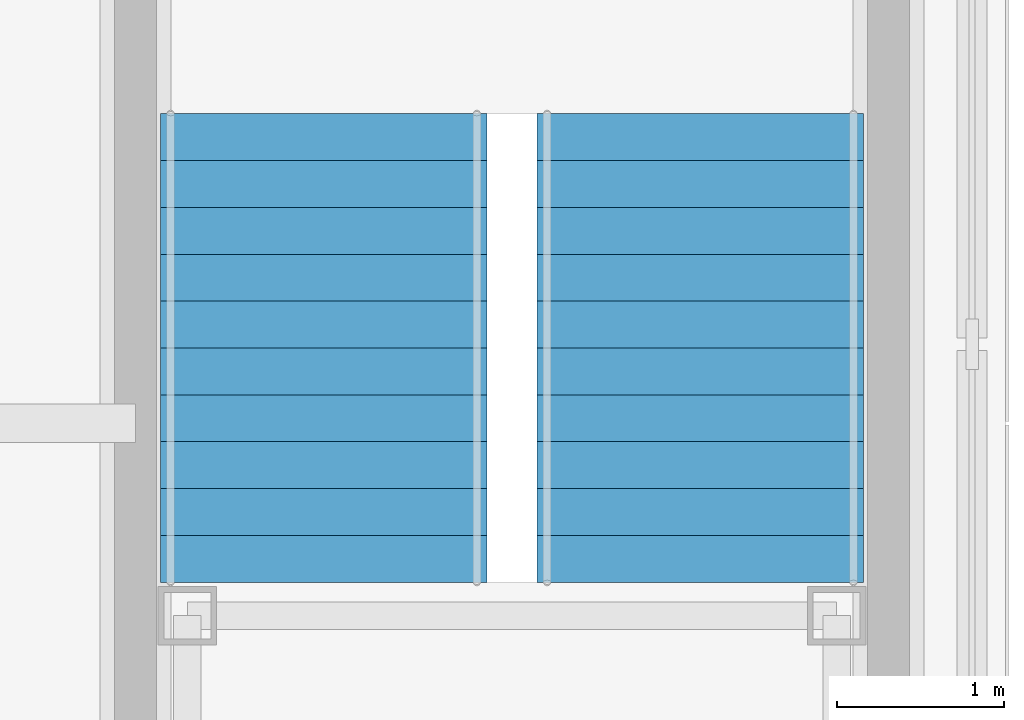
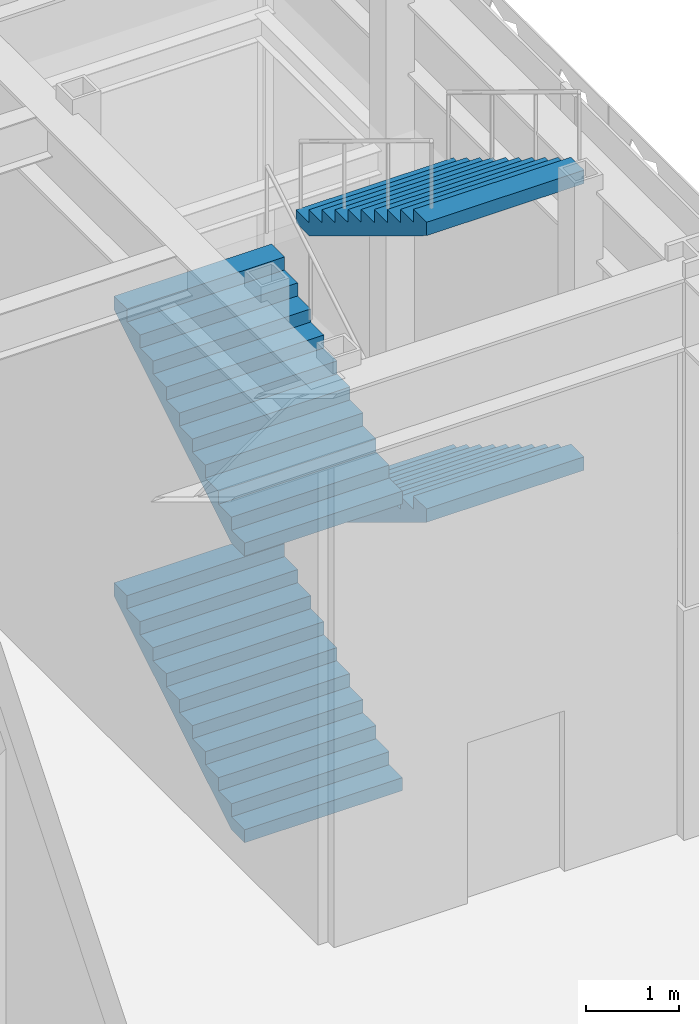
# One storey, part 23 of 34: 4 stair flights, 1 element without a shape of its own.
"""IFC4 building model written with IfcOpenShell, lengths in metres."""

from ifc_helpers import new_model, si_unit, direction, frame, origin, place, context, subcontext, project, spatial, faceted_brep, material, type_object, element, aggregate, save


model = new_model("IFC4")

# Units and contexts
model_context = context("Model", 3, precision=1e-05, world=origin(), true_north=direction((0.0, 1.0)))
body_context = subcontext(model_context, "Body", "Model", "MODEL_VIEW")
ifc_project = project(units=[si_unit("LENGTHUNIT", "METRE"), si_unit("AREAUNIT", "SQUARE_METRE"), si_unit("VOLUMEUNIT", "CUBIC_METRE"), si_unit("PLANEANGLEUNIT", "RADIAN"), si_unit("MASSUNIT", "GRAM", prefix="KILO")], contexts=[model_context])

# Site, building, storey
site_placement = place(None, origin())
site = spatial("IfcSite", under=ifc_project, at=site_placement, CompositionType="ELEMENT")
building_placement = place(site_placement, origin())
building = spatial("IfcBuilding", under=site, at=building_placement, Name="Chuquiago Exchange Tower", CompositionType="ELEMENT")
storey_placement = place(building_placement, frame((0.0, 0.0, 6.0)))
storey = spatial("IfcBuildingStorey", under=building, at=storey_placement, Name="L01", CompositionType="ELEMENT", Elevation=6.0)

# Stair, stair flights
ifc_material_1 = material(Name="Concrete C30/37, precast", Category="concrete")
stair_type = type_object("IfcStairType", Name="PS4 double half-turn stair 7500", PredefinedType="DOUBLE_RETURN_STAIR", material=ifc_material_1)
stair_placement = place(storey_placement, origin())
stair = element("IfcStair", 1, at=stair_placement, inside=storey, type_object=stair_type, Name="Stair PS4 L01", PredefinedType="DOUBLE_RETURN_STAIR")
ifc_material_2 = material(Name="Concrete C30/37, precast", Category="concrete")
stair_flight_type = type_object("IfcStairFlightType", Name="ST-F flight 1950 for 7500 storey", PredefinedType="STRAIGHT", material=ifc_material_2)
stair_flight_1_placement = place(storey_placement, frame((50.625, 38.050048828125, 0.0), z_axis=(0.0, 0.0, 1.0), x_axis=(0.0, 1.0, 0.0)))
stair_flight_1 = element("IfcStairFlight", 2, at=stair_flight_1_placement, type_object=stair_flight_type, Name="PS4 flight 1", NumberOfRisers=11, NumberOfTreads=10, PredefinedType="STRAIGHT", RiserHeight=0.170454545, TreadLength=0.28, context=body_context, shape_type="Brep", body=[
    faceted_brep([(0.0, 0.97509765625, 0.0), (0.0, 0.97509765625, 0.17041015625), (0.280029296875, 0.97509765625, 0.17041015625), (0.280029296875, 0.97509765625, 0.3408203125), (0.56005859375, 0.97509765625, 0.3408203125), (0.56005859375, 0.97509765625, 0.511474609375), (0.840087890625, 0.97509765625, 0.511474609375), (0.840087890625, 0.97509765625, 0.681884765625), (1.1201171875, 0.97509765625, 0.681884765625), (1.1201171875, 0.97509765625, 0.852294921875), (1.39990234375, 0.97509765625, 0.852294921875), (1.39990234375, 0.97509765625, 1.022705078125), (1.679931640625, 0.97509765625, 1.022705078125), (1.679931640625, 0.97509765625, 1.193115234375), (1.9599609375, 0.97509765625, 1.193115234375), (1.9599609375, 0.97509765625, 1.363525390625), (2.239990234375, 0.97509765625, 1.363525390625), (2.239990234375, 0.97509765625, 1.5341796875), (2.52001953125, 0.97509765625, 1.5341796875), (2.52001953125, 0.97509765625, 1.70458984375), (2.800048828125, 0.97509765625, 1.70458984375), (2.800048828125, 0.97509765625, 1.529052734375), (0.288330078125, 0.97509765625, 0.0), (0.288330078125, -0.97509765625, 0.0), (2.800048828125, -0.97509765625, 1.529052734375), (2.800048828125, -0.97509765625, 1.70458984375), (2.52001953125, -0.97509765625, 1.70458984375), (2.52001953125, -0.97509765625, 1.5341796875), (2.239990234375, -0.97509765625, 1.5341796875), (2.239990234375, -0.97509765625, 1.363525390625), (1.9599609375, -0.97509765625, 1.363525390625), (1.9599609375, -0.97509765625, 1.193115234375), (1.679931640625, -0.97509765625, 1.193115234375), (1.679931640625, -0.97509765625, 1.022705078125), (1.39990234375, -0.97509765625, 1.022705078125), (1.39990234375, -0.97509765625, 0.852294921875), (1.1201171875, -0.97509765625, 0.852294921875), (1.1201171875, -0.97509765625, 0.681884765625), (0.840087890625, -0.97509765625, 0.681884765625), (0.840087890625, -0.97509765625, 0.511474609375), (0.56005859375, -0.97509765625, 0.511474609375), (0.56005859375, -0.97509765625, 0.3408203125), (0.280029296875, -0.97509765625, 0.3408203125), (0.280029296875, -0.97509765625, 0.17041015625), (0.0, -0.97509765625, 0.17041015625), (0.0, -0.97509765625, 0.0), (0.0, 0.487548828125, 0.0), (0.0, 0.487548828125, 0.17041015625), (0.0, 0.0, 0.0), (0.0, 0.0, 0.17041015625), (0.0, -0.487548828125, 0.0), (0.0, -0.487548828125, 0.17041015625), (0.280029296875, 0.487548828125, 0.17041015625), (0.280029296875, 0.0, 0.17041015625), (0.280029296875, -0.487548828125, 0.17041015625), (0.280029296875, 0.487548828125, 0.3408203125), (0.280029296875, 0.0, 0.3408203125), (0.280029296875, -0.487548828125, 0.3408203125), (0.56005859375, 0.487548828125, 0.3408203125), (0.56005859375, 0.0, 0.3408203125), (0.56005859375, -0.487548828125, 0.3408203125), (0.56005859375, 0.487548828125, 0.511474609375), (0.56005859375, 0.0, 0.511474609375), (0.56005859375, -0.487548828125, 0.511474609375), (0.840087890625, 0.487548828125, 0.511474609375), (0.840087890625, 0.0, 0.511474609375), (0.840087890625, -0.487548828125, 0.511474609375), (0.840087890625, 0.487548828125, 0.681884765625), (0.840087890625, 0.0, 0.681884765625), (0.840087890625, -0.487548828125, 0.681884765625), (1.1201171875, 0.487548828125, 0.681884765625), (1.1201171875, 0.0, 0.681884765625), (1.1201171875, -0.487548828125, 0.681884765625), (1.1201171875, 0.487548828125, 0.852294921875), (1.1201171875, 0.0, 0.852294921875), (1.1201171875, -0.487548828125, 0.852294921875), (1.39990234375, 0.487548828125, 0.852294921875), (1.39990234375, 0.0, 0.852294921875), (1.39990234375, -0.487548828125, 0.852294921875), (1.39990234375, 0.487548828125, 1.022705078125), (1.39990234375, 0.0, 1.022705078125), (1.39990234375, -0.487548828125, 1.022705078125), (1.679931640625, 0.487548828125, 1.022705078125), (1.679931640625, 0.0, 1.022705078125), (1.679931640625, -0.487548828125, 1.022705078125), (1.679931640625, 0.487548828125, 1.193115234375), (1.679931640625, 0.0, 1.193115234375), (1.679931640625, -0.487548828125, 1.193115234375), (1.9599609375, 0.487548828125, 1.193115234375), (1.9599609375, 0.0, 1.193115234375), (1.9599609375, -0.487548828125, 1.193115234375), (1.9599609375, 0.487548828125, 1.363525390625), (1.9599609375, 0.0, 1.363525390625), (1.9599609375, -0.487548828125, 1.363525390625), (2.239990234375, 0.487548828125, 1.363525390625), (2.239990234375, 0.0, 1.363525390625), (2.239990234375, -0.487548828125, 1.363525390625), (2.239990234375, 0.487548828125, 1.5341796875), (2.239990234375, 0.0, 1.5341796875), (2.239990234375, -0.487548828125, 1.5341796875), (2.52001953125, 0.487548828125, 1.5341796875), (2.52001953125, 0.0, 1.5341796875), (2.52001953125, -0.487548828125, 1.5341796875), (2.52001953125, 0.487548828125, 1.70458984375), (2.52001953125, 0.0, 1.70458984375), (2.52001953125, -0.487548828125, 1.70458984375), (2.800048828125, 0.487548828125, 1.70458984375), (2.800048828125, 0.0, 1.70458984375), (2.800048828125, -0.487548828125, 1.70458984375), (2.800048828125, 0.487548828125, 1.529052734375), (2.800048828125, 0.0, 1.529052734375), (2.800048828125, -0.487548828125, 1.529052734375), (0.288330078125, 0.487548828125, 0.0), (0.288330078125, 0.0, 0.0), (0.288330078125, -0.487548828125, 0.0)], [[[0, 1, 2, 3, 4, 5, 6, 7, 8, 9, 10, 11, 12, 13, 14, 15, 16, 17, 18, 19, 20, 21, 22]], [[23, 24, 25, 26, 27, 28, 29, 30, 31, 32, 33, 34, 35, 36, 37, 38, 39, 40, 41, 42, 43, 44, 45]], [[1, 0, 46, 47]], [[47, 46, 48, 49]], [[49, 48, 50, 51]], [[51, 50, 45, 44]], [[2, 1, 47, 52]], [[52, 47, 49, 53]], [[53, 49, 51, 54]], [[54, 51, 44, 43]], [[3, 2, 52, 55]], [[55, 52, 53, 56]], [[56, 53, 54, 57]], [[57, 54, 43, 42]], [[4, 3, 55, 58]], [[58, 55, 56, 59]], [[59, 56, 57, 60]], [[60, 57, 42, 41]], [[5, 4, 58, 61]], [[61, 58, 59, 62]], [[62, 59, 60, 63]], [[63, 60, 41, 40]], [[6, 5, 61, 64]], [[64, 61, 62, 65]], [[65, 62, 63, 66]], [[66, 63, 40, 39]], [[7, 6, 64, 67]], [[67, 64, 65, 68]], [[68, 65, 66, 69]], [[69, 66, 39, 38]], [[8, 7, 67, 70]], [[70, 67, 68, 71]], [[71, 68, 69, 72]], [[72, 69, 38, 37]], [[9, 8, 70, 73]], [[73, 70, 71, 74]], [[74, 71, 72, 75]], [[75, 72, 37, 36]], [[10, 9, 73, 76]], [[76, 73, 74, 77]], [[77, 74, 75, 78]], [[78, 75, 36, 35]], [[11, 10, 76, 79]], [[79, 76, 77, 80]], [[80, 77, 78, 81]], [[81, 78, 35, 34]], [[12, 11, 79, 82]], [[82, 79, 80, 83]], [[83, 80, 81, 84]], [[84, 81, 34, 33]], [[13, 12, 82, 85]], [[85, 82, 83, 86]], [[86, 83, 84, 87]], [[87, 84, 33, 32]], [[14, 13, 85, 88]], [[88, 85, 86, 89]], [[89, 86, 87, 90]], [[90, 87, 32, 31]], [[15, 14, 88, 91]], [[91, 88, 89, 92]], [[92, 89, 90, 93]], [[93, 90, 31, 30]], [[16, 15, 91, 94]], [[94, 91, 92, 95]], [[95, 92, 93, 96]], [[96, 93, 30, 29]], [[17, 16, 94, 97]], [[97, 94, 95, 98]], [[98, 95, 96, 99]], [[99, 96, 29, 28]], [[18, 17, 97, 100]], [[100, 97, 98, 101]], [[101, 98, 99, 102]], [[102, 99, 28, 27]], [[19, 18, 100, 103]], [[103, 100, 101, 104]], [[104, 101, 102, 105]], [[105, 102, 27, 26]], [[20, 19, 103, 106]], [[106, 103, 104, 107]], [[107, 104, 105, 108]], [[108, 105, 26, 25]], [[21, 20, 106, 109]], [[109, 106, 107, 110]], [[110, 107, 108, 111]], [[111, 108, 25, 24]], [[22, 21, 109, 112]], [[112, 109, 110, 113]], [[113, 110, 111, 114]], [[114, 111, 24, 23]], [[0, 22, 112, 46]], [[46, 112, 113, 48]], [[48, 113, 114, 50]], [[50, 114, 23, 45]]]),
])
stair_flight_2_placement = place(storey_placement, frame((52.875, 40.85009765625, 1.875), z_axis=(0.0, 0.0, 1.0), x_axis=(0.0, -1.0, 0.0)))
stair_flight_2 = element("IfcStairFlight", 3, at=stair_flight_2_placement, type_object=stair_flight_type, Name="PS4 flight 2", NumberOfRisers=11, NumberOfTreads=10, PredefinedType="STRAIGHT", RiserHeight=0.170454545, TreadLength=0.28, context=body_context, shape_type="Brep", body=[
    faceted_brep([(0.0, 0.97509765625, 0.0), (0.0, 0.97509765625, 0.17041015625), (0.280029296875, 0.97509765625, 0.17041015625), (0.280029296875, 0.97509765625, 0.3408203125), (0.56005859375, 0.97509765625, 0.3408203125), (0.56005859375, 0.97509765625, 0.511474609375), (0.840087890625, 0.97509765625, 0.511474609375), (0.840087890625, 0.97509765625, 0.681884765625), (1.1201171875, 0.97509765625, 0.681884765625), (1.1201171875, 0.97509765625, 0.852294921875), (1.39990234375, 0.97509765625, 0.852294921875), (1.39990234375, 0.97509765625, 1.022705078125), (1.679931640625, 0.97509765625, 1.022705078125), (1.679931640625, 0.97509765625, 1.193115234375), (1.9599609375, 0.97509765625, 1.193115234375), (1.9599609375, 0.97509765625, 1.363525390625), (2.239990234375, 0.97509765625, 1.363525390625), (2.239990234375, 0.97509765625, 1.5341796875), (2.52001953125, 0.97509765625, 1.5341796875), (2.52001953125, 0.97509765625, 1.70458984375), (2.800048828125, 0.97509765625, 1.70458984375), (2.800048828125, 0.97509765625, 1.529052734375), (0.288330078125, 0.97509765625, 0.0), (0.288330078125, -0.97509765625, 0.0), (2.800048828125, -0.97509765625, 1.529052734375), (2.800048828125, -0.97509765625, 1.70458984375), (2.52001953125, -0.97509765625, 1.70458984375), (2.52001953125, -0.97509765625, 1.5341796875), (2.239990234375, -0.97509765625, 1.5341796875), (2.239990234375, -0.97509765625, 1.363525390625), (1.9599609375, -0.97509765625, 1.363525390625), (1.9599609375, -0.97509765625, 1.193115234375), (1.679931640625, -0.97509765625, 1.193115234375), (1.679931640625, -0.97509765625, 1.022705078125), (1.39990234375, -0.97509765625, 1.022705078125), (1.39990234375, -0.97509765625, 0.852294921875), (1.1201171875, -0.97509765625, 0.852294921875), (1.1201171875, -0.97509765625, 0.681884765625), (0.840087890625, -0.97509765625, 0.681884765625), (0.840087890625, -0.97509765625, 0.511474609375), (0.56005859375, -0.97509765625, 0.511474609375), (0.56005859375, -0.97509765625, 0.3408203125), (0.280029296875, -0.97509765625, 0.3408203125), (0.280029296875, -0.97509765625, 0.17041015625), (0.0, -0.97509765625, 0.17041015625), (0.0, -0.97509765625, 0.0), (0.0, 0.487548828125, 0.0), (0.0, 0.487548828125, 0.17041015625), (0.0, 0.0, 0.0), (0.0, 0.0, 0.17041015625), (0.0, -0.487548828125, 0.0), (0.0, -0.487548828125, 0.17041015625), (0.280029296875, 0.487548828125, 0.17041015625), (0.280029296875, 0.0, 0.17041015625), (0.280029296875, -0.487548828125, 0.17041015625), (0.280029296875, 0.487548828125, 0.3408203125), (0.280029296875, 0.0, 0.3408203125), (0.280029296875, -0.487548828125, 0.3408203125), (0.56005859375, 0.487548828125, 0.3408203125), (0.56005859375, 0.0, 0.3408203125), (0.56005859375, -0.487548828125, 0.3408203125), (0.56005859375, 0.487548828125, 0.511474609375), (0.56005859375, 0.0, 0.511474609375), (0.56005859375, -0.487548828125, 0.511474609375), (0.840087890625, 0.487548828125, 0.511474609375), (0.840087890625, 0.0, 0.511474609375), (0.840087890625, -0.487548828125, 0.511474609375), (0.840087890625, 0.487548828125, 0.681884765625), (0.840087890625, 0.0, 0.681884765625), (0.840087890625, -0.487548828125, 0.681884765625), (1.1201171875, 0.487548828125, 0.681884765625), (1.1201171875, 0.0, 0.681884765625), (1.1201171875, -0.487548828125, 0.681884765625), (1.1201171875, 0.487548828125, 0.852294921875), (1.1201171875, 0.0, 0.852294921875), (1.1201171875, -0.487548828125, 0.852294921875), (1.39990234375, 0.487548828125, 0.852294921875), (1.39990234375, 0.0, 0.852294921875), (1.39990234375, -0.487548828125, 0.852294921875), (1.39990234375, 0.487548828125, 1.022705078125), (1.39990234375, 0.0, 1.022705078125), (1.39990234375, -0.487548828125, 1.022705078125), (1.679931640625, 0.487548828125, 1.022705078125), (1.679931640625, 0.0, 1.022705078125), (1.679931640625, -0.487548828125, 1.022705078125), (1.679931640625, 0.487548828125, 1.193115234375), (1.679931640625, 0.0, 1.193115234375), (1.679931640625, -0.487548828125, 1.193115234375), (1.9599609375, 0.487548828125, 1.193115234375), (1.9599609375, 0.0, 1.193115234375), (1.9599609375, -0.487548828125, 1.193115234375), (1.9599609375, 0.487548828125, 1.363525390625), (1.9599609375, 0.0, 1.363525390625), (1.9599609375, -0.487548828125, 1.363525390625), (2.239990234375, 0.487548828125, 1.363525390625), (2.239990234375, 0.0, 1.363525390625), (2.239990234375, -0.487548828125, 1.363525390625), (2.239990234375, 0.487548828125, 1.5341796875), (2.239990234375, 0.0, 1.5341796875), (2.239990234375, -0.487548828125, 1.5341796875), (2.52001953125, 0.487548828125, 1.5341796875), (2.52001953125, 0.0, 1.5341796875), (2.52001953125, -0.487548828125, 1.5341796875), (2.52001953125, 0.487548828125, 1.70458984375), (2.52001953125, 0.0, 1.70458984375), (2.52001953125, -0.487548828125, 1.70458984375), (2.800048828125, 0.487548828125, 1.70458984375), (2.800048828125, 0.0, 1.70458984375), (2.800048828125, -0.487548828125, 1.70458984375), (2.800048828125, 0.487548828125, 1.529052734375), (2.800048828125, 0.0, 1.529052734375), (2.800048828125, -0.487548828125, 1.529052734375), (0.288330078125, 0.487548828125, 0.0), (0.288330078125, 0.0, 0.0), (0.288330078125, -0.487548828125, 0.0)], [[[0, 1, 2, 3, 4, 5, 6, 7, 8, 9, 10, 11, 12, 13, 14, 15, 16, 17, 18, 19, 20, 21, 22]], [[23, 24, 25, 26, 27, 28, 29, 30, 31, 32, 33, 34, 35, 36, 37, 38, 39, 40, 41, 42, 43, 44, 45]], [[1, 0, 46, 47]], [[47, 46, 48, 49]], [[49, 48, 50, 51]], [[51, 50, 45, 44]], [[2, 1, 47, 52]], [[52, 47, 49, 53]], [[53, 49, 51, 54]], [[54, 51, 44, 43]], [[3, 2, 52, 55]], [[55, 52, 53, 56]], [[56, 53, 54, 57]], [[57, 54, 43, 42]], [[4, 3, 55, 58]], [[58, 55, 56, 59]], [[59, 56, 57, 60]], [[60, 57, 42, 41]], [[5, 4, 58, 61]], [[61, 58, 59, 62]], [[62, 59, 60, 63]], [[63, 60, 41, 40]], [[6, 5, 61, 64]], [[64, 61, 62, 65]], [[65, 62, 63, 66]], [[66, 63, 40, 39]], [[7, 6, 64, 67]], [[67, 64, 65, 68]], [[68, 65, 66, 69]], [[69, 66, 39, 38]], [[8, 7, 67, 70]], [[70, 67, 68, 71]], [[71, 68, 69, 72]], [[72, 69, 38, 37]], [[9, 8, 70, 73]], [[73, 70, 71, 74]], [[74, 71, 72, 75]], [[75, 72, 37, 36]], [[10, 9, 73, 76]], [[76, 73, 74, 77]], [[77, 74, 75, 78]], [[78, 75, 36, 35]], [[11, 10, 76, 79]], [[79, 76, 77, 80]], [[80, 77, 78, 81]], [[81, 78, 35, 34]], [[12, 11, 79, 82]], [[82, 79, 80, 83]], [[83, 80, 81, 84]], [[84, 81, 34, 33]], [[13, 12, 82, 85]], [[85, 82, 83, 86]], [[86, 83, 84, 87]], [[87, 84, 33, 32]], [[14, 13, 85, 88]], [[88, 85, 86, 89]], [[89, 86, 87, 90]], [[90, 87, 32, 31]], [[15, 14, 88, 91]], [[91, 88, 89, 92]], [[92, 89, 90, 93]], [[93, 90, 31, 30]], [[16, 15, 91, 94]], [[94, 91, 92, 95]], [[95, 92, 93, 96]], [[96, 93, 30, 29]], [[17, 16, 94, 97]], [[97, 94, 95, 98]], [[98, 95, 96, 99]], [[99, 96, 29, 28]], [[18, 17, 97, 100]], [[100, 97, 98, 101]], [[101, 98, 99, 102]], [[102, 99, 28, 27]], [[19, 18, 100, 103]], [[103, 100, 101, 104]], [[104, 101, 102, 105]], [[105, 102, 27, 26]], [[20, 19, 103, 106]], [[106, 103, 104, 107]], [[107, 104, 105, 108]], [[108, 105, 26, 25]], [[21, 20, 106, 109]], [[109, 106, 107, 110]], [[110, 107, 108, 111]], [[111, 108, 25, 24]], [[22, 21, 109, 112]], [[112, 109, 110, 113]], [[113, 110, 111, 114]], [[114, 111, 24, 23]], [[0, 22, 112, 46]], [[46, 112, 113, 48]], [[48, 113, 114, 50]], [[50, 114, 23, 45]]]),
])
stair_flight_3_placement = place(storey_placement, frame((50.625, 38.050048828125, 3.75), z_axis=(0.0, 0.0, 1.0), x_axis=(0.0, 1.0, 0.0)))
stair_flight_3 = element("IfcStairFlight", 4, at=stair_flight_3_placement, type_object=stair_flight_type, Name="PS4 flight 3", NumberOfRisers=11, NumberOfTreads=10, PredefinedType="STRAIGHT", RiserHeight=0.170454545, TreadLength=0.28, context=body_context, shape_type="Brep", body=[
    faceted_brep([(0.0, 0.97509765625, 0.0), (0.0, 0.97509765625, 0.17041015625), (0.280029296875, 0.97509765625, 0.17041015625), (0.280029296875, 0.97509765625, 0.3408203125), (0.56005859375, 0.97509765625, 0.3408203125), (0.56005859375, 0.97509765625, 0.511474609375), (0.840087890625, 0.97509765625, 0.511474609375), (0.840087890625, 0.97509765625, 0.681884765625), (1.1201171875, 0.97509765625, 0.681884765625), (1.1201171875, 0.97509765625, 0.852294921875), (1.39990234375, 0.97509765625, 0.852294921875), (1.39990234375, 0.97509765625, 1.022705078125), (1.679931640625, 0.97509765625, 1.022705078125), (1.679931640625, 0.97509765625, 1.193115234375), (1.9599609375, 0.97509765625, 1.193115234375), (1.9599609375, 0.97509765625, 1.363525390625), (2.239990234375, 0.97509765625, 1.363525390625), (2.239990234375, 0.97509765625, 1.5341796875), (2.52001953125, 0.97509765625, 1.5341796875), (2.52001953125, 0.97509765625, 1.70458984375), (2.800048828125, 0.97509765625, 1.70458984375), (2.800048828125, 0.97509765625, 1.529052734375), (0.288330078125, 0.97509765625, 0.0), (0.288330078125, -0.97509765625, 0.0), (2.800048828125, -0.97509765625, 1.529052734375), (2.800048828125, -0.97509765625, 1.70458984375), (2.52001953125, -0.97509765625, 1.70458984375), (2.52001953125, -0.97509765625, 1.5341796875), (2.239990234375, -0.97509765625, 1.5341796875), (2.239990234375, -0.97509765625, 1.363525390625), (1.9599609375, -0.97509765625, 1.363525390625), (1.9599609375, -0.97509765625, 1.193115234375), (1.679931640625, -0.97509765625, 1.193115234375), (1.679931640625, -0.97509765625, 1.022705078125), (1.39990234375, -0.97509765625, 1.022705078125), (1.39990234375, -0.97509765625, 0.852294921875), (1.1201171875, -0.97509765625, 0.852294921875), (1.1201171875, -0.97509765625, 0.681884765625), (0.840087890625, -0.97509765625, 0.681884765625), (0.840087890625, -0.97509765625, 0.511474609375), (0.56005859375, -0.97509765625, 0.511474609375), (0.56005859375, -0.97509765625, 0.3408203125), (0.280029296875, -0.97509765625, 0.3408203125), (0.280029296875, -0.97509765625, 0.17041015625), (0.0, -0.97509765625, 0.17041015625), (0.0, -0.97509765625, 0.0), (0.0, 0.487548828125, 0.0), (0.0, 0.487548828125, 0.17041015625), (0.0, 0.0, 0.0), (0.0, 0.0, 0.17041015625), (0.0, -0.487548828125, 0.0), (0.0, -0.487548828125, 0.17041015625), (0.280029296875, 0.487548828125, 0.17041015625), (0.280029296875, 0.0, 0.17041015625), (0.280029296875, -0.487548828125, 0.17041015625), (0.280029296875, 0.487548828125, 0.3408203125), (0.280029296875, 0.0, 0.3408203125), (0.280029296875, -0.487548828125, 0.3408203125), (0.56005859375, 0.487548828125, 0.3408203125), (0.56005859375, 0.0, 0.3408203125), (0.56005859375, -0.487548828125, 0.3408203125), (0.56005859375, 0.487548828125, 0.511474609375), (0.56005859375, 0.0, 0.511474609375), (0.56005859375, -0.487548828125, 0.511474609375), (0.840087890625, 0.487548828125, 0.511474609375), (0.840087890625, 0.0, 0.511474609375), (0.840087890625, -0.487548828125, 0.511474609375), (0.840087890625, 0.487548828125, 0.681884765625), (0.840087890625, 0.0, 0.681884765625), (0.840087890625, -0.487548828125, 0.681884765625), (1.1201171875, 0.487548828125, 0.681884765625), (1.1201171875, 0.0, 0.681884765625), (1.1201171875, -0.487548828125, 0.681884765625), (1.1201171875, 0.487548828125, 0.852294921875), (1.1201171875, 0.0, 0.852294921875), (1.1201171875, -0.487548828125, 0.852294921875), (1.39990234375, 0.487548828125, 0.852294921875), (1.39990234375, 0.0, 0.852294921875), (1.39990234375, -0.487548828125, 0.852294921875), (1.39990234375, 0.487548828125, 1.022705078125), (1.39990234375, 0.0, 1.022705078125), (1.39990234375, -0.487548828125, 1.022705078125), (1.679931640625, 0.487548828125, 1.022705078125), (1.679931640625, 0.0, 1.022705078125), (1.679931640625, -0.487548828125, 1.022705078125), (1.679931640625, 0.487548828125, 1.193115234375), (1.679931640625, 0.0, 1.193115234375), (1.679931640625, -0.487548828125, 1.193115234375), (1.9599609375, 0.487548828125, 1.193115234375), (1.9599609375, 0.0, 1.193115234375), (1.9599609375, -0.487548828125, 1.193115234375), (1.9599609375, 0.487548828125, 1.363525390625), (1.9599609375, 0.0, 1.363525390625), (1.9599609375, -0.487548828125, 1.363525390625), (2.239990234375, 0.487548828125, 1.363525390625), (2.239990234375, 0.0, 1.363525390625), (2.239990234375, -0.487548828125, 1.363525390625), (2.239990234375, 0.487548828125, 1.5341796875), (2.239990234375, 0.0, 1.5341796875), (2.239990234375, -0.487548828125, 1.5341796875), (2.52001953125, 0.487548828125, 1.5341796875), (2.52001953125, 0.0, 1.5341796875), (2.52001953125, -0.487548828125, 1.5341796875), (2.52001953125, 0.487548828125, 1.70458984375), (2.52001953125, 0.0, 1.70458984375), (2.52001953125, -0.487548828125, 1.70458984375), (2.800048828125, 0.487548828125, 1.70458984375), (2.800048828125, 0.0, 1.70458984375), (2.800048828125, -0.487548828125, 1.70458984375), (2.800048828125, 0.487548828125, 1.529052734375), (2.800048828125, 0.0, 1.529052734375), (2.800048828125, -0.487548828125, 1.529052734375), (0.288330078125, 0.487548828125, 0.0), (0.288330078125, 0.0, 0.0), (0.288330078125, -0.487548828125, 0.0)], [[[0, 1, 2, 3, 4, 5, 6, 7, 8, 9, 10, 11, 12, 13, 14, 15, 16, 17, 18, 19, 20, 21, 22]], [[23, 24, 25, 26, 27, 28, 29, 30, 31, 32, 33, 34, 35, 36, 37, 38, 39, 40, 41, 42, 43, 44, 45]], [[1, 0, 46, 47]], [[47, 46, 48, 49]], [[49, 48, 50, 51]], [[51, 50, 45, 44]], [[2, 1, 47, 52]], [[52, 47, 49, 53]], [[53, 49, 51, 54]], [[54, 51, 44, 43]], [[3, 2, 52, 55]], [[55, 52, 53, 56]], [[56, 53, 54, 57]], [[57, 54, 43, 42]], [[4, 3, 55, 58]], [[58, 55, 56, 59]], [[59, 56, 57, 60]], [[60, 57, 42, 41]], [[5, 4, 58, 61]], [[61, 58, 59, 62]], [[62, 59, 60, 63]], [[63, 60, 41, 40]], [[6, 5, 61, 64]], [[64, 61, 62, 65]], [[65, 62, 63, 66]], [[66, 63, 40, 39]], [[7, 6, 64, 67]], [[67, 64, 65, 68]], [[68, 65, 66, 69]], [[69, 66, 39, 38]], [[8, 7, 67, 70]], [[70, 67, 68, 71]], [[71, 68, 69, 72]], [[72, 69, 38, 37]], [[9, 8, 70, 73]], [[73, 70, 71, 74]], [[74, 71, 72, 75]], [[75, 72, 37, 36]], [[10, 9, 73, 76]], [[76, 73, 74, 77]], [[77, 74, 75, 78]], [[78, 75, 36, 35]], [[11, 10, 76, 79]], [[79, 76, 77, 80]], [[80, 77, 78, 81]], [[81, 78, 35, 34]], [[12, 11, 79, 82]], [[82, 79, 80, 83]], [[83, 80, 81, 84]], [[84, 81, 34, 33]], [[13, 12, 82, 85]], [[85, 82, 83, 86]], [[86, 83, 84, 87]], [[87, 84, 33, 32]], [[14, 13, 85, 88]], [[88, 85, 86, 89]], [[89, 86, 87, 90]], [[90, 87, 32, 31]], [[15, 14, 88, 91]], [[91, 88, 89, 92]], [[92, 89, 90, 93]], [[93, 90, 31, 30]], [[16, 15, 91, 94]], [[94, 91, 92, 95]], [[95, 92, 93, 96]], [[96, 93, 30, 29]], [[17, 16, 94, 97]], [[97, 94, 95, 98]], [[98, 95, 96, 99]], [[99, 96, 29, 28]], [[18, 17, 97, 100]], [[100, 97, 98, 101]], [[101, 98, 99, 102]], [[102, 99, 28, 27]], [[19, 18, 100, 103]], [[103, 100, 101, 104]], [[104, 101, 102, 105]], [[105, 102, 27, 26]], [[20, 19, 103, 106]], [[106, 103, 104, 107]], [[107, 104, 105, 108]], [[108, 105, 26, 25]], [[21, 20, 106, 109]], [[109, 106, 107, 110]], [[110, 107, 108, 111]], [[111, 108, 25, 24]], [[22, 21, 109, 112]], [[112, 109, 110, 113]], [[113, 110, 111, 114]], [[114, 111, 24, 23]], [[0, 22, 112, 46]], [[46, 112, 113, 48]], [[48, 113, 114, 50]], [[50, 114, 23, 45]]]),
])
stair_flight_4_placement = place(storey_placement, frame((52.875, 40.85009765625, 5.625), z_axis=(0.0, 0.0, 1.0), x_axis=(0.0, -1.0, 0.0)))
stair_flight_4 = element("IfcStairFlight", 5, at=stair_flight_4_placement, type_object=stair_flight_type, Name="PS4 flight 4", NumberOfRisers=11, NumberOfTreads=10, PredefinedType="STRAIGHT", RiserHeight=0.170454545, TreadLength=0.28, context=body_context, shape_type="Brep", body=[
    faceted_brep([(0.0, 0.97509765625, 0.0), (0.0, 0.97509765625, 0.17041015625), (0.280029296875, 0.97509765625, 0.17041015625), (0.280029296875, 0.97509765625, 0.3408203125), (0.56005859375, 0.97509765625, 0.3408203125), (0.56005859375, 0.97509765625, 0.511474609375), (0.840087890625, 0.97509765625, 0.511474609375), (0.840087890625, 0.97509765625, 0.681884765625), (1.1201171875, 0.97509765625, 0.681884765625), (1.1201171875, 0.97509765625, 0.852294921875), (1.39990234375, 0.97509765625, 0.852294921875), (1.39990234375, 0.97509765625, 1.022705078125), (1.679931640625, 0.97509765625, 1.022705078125), (1.679931640625, 0.97509765625, 1.193115234375), (1.9599609375, 0.97509765625, 1.193115234375), (1.9599609375, 0.97509765625, 1.363525390625), (2.239990234375, 0.97509765625, 1.363525390625), (2.239990234375, 0.97509765625, 1.5341796875), (2.52001953125, 0.97509765625, 1.5341796875), (2.52001953125, 0.97509765625, 1.70458984375), (2.800048828125, 0.97509765625, 1.70458984375), (2.800048828125, 0.97509765625, 1.529052734375), (0.288330078125, 0.97509765625, 0.0), (0.288330078125, -0.97509765625, 0.0), (2.800048828125, -0.97509765625, 1.529052734375), (2.800048828125, -0.97509765625, 1.70458984375), (2.52001953125, -0.97509765625, 1.70458984375), (2.52001953125, -0.97509765625, 1.5341796875), (2.239990234375, -0.97509765625, 1.5341796875), (2.239990234375, -0.97509765625, 1.363525390625), (1.9599609375, -0.97509765625, 1.363525390625), (1.9599609375, -0.97509765625, 1.193115234375), (1.679931640625, -0.97509765625, 1.193115234375), (1.679931640625, -0.97509765625, 1.022705078125), (1.39990234375, -0.97509765625, 1.022705078125), (1.39990234375, -0.97509765625, 0.852294921875), (1.1201171875, -0.97509765625, 0.852294921875), (1.1201171875, -0.97509765625, 0.681884765625), (0.840087890625, -0.97509765625, 0.681884765625), (0.840087890625, -0.97509765625, 0.511474609375), (0.56005859375, -0.97509765625, 0.511474609375), (0.56005859375, -0.97509765625, 0.3408203125), (0.280029296875, -0.97509765625, 0.3408203125), (0.280029296875, -0.97509765625, 0.17041015625), (0.0, -0.97509765625, 0.17041015625), (0.0, -0.97509765625, 0.0), (0.0, 0.487548828125, 0.0), (0.0, 0.487548828125, 0.17041015625), (0.0, 0.0, 0.0), (0.0, 0.0, 0.17041015625), (0.0, -0.487548828125, 0.0), (0.0, -0.487548828125, 0.17041015625), (0.280029296875, 0.487548828125, 0.17041015625), (0.280029296875, 0.0, 0.17041015625), (0.280029296875, -0.487548828125, 0.17041015625), (0.280029296875, 0.487548828125, 0.3408203125), (0.280029296875, 0.0, 0.3408203125), (0.280029296875, -0.487548828125, 0.3408203125), (0.56005859375, 0.487548828125, 0.3408203125), (0.56005859375, 0.0, 0.3408203125), (0.56005859375, -0.487548828125, 0.3408203125), (0.56005859375, 0.487548828125, 0.511474609375), (0.56005859375, 0.0, 0.511474609375), (0.56005859375, -0.487548828125, 0.511474609375), (0.840087890625, 0.487548828125, 0.511474609375), (0.840087890625, 0.0, 0.511474609375), (0.840087890625, -0.487548828125, 0.511474609375), (0.840087890625, 0.487548828125, 0.681884765625), (0.840087890625, 0.0, 0.681884765625), (0.840087890625, -0.487548828125, 0.681884765625), (1.1201171875, 0.487548828125, 0.681884765625), (1.1201171875, 0.0, 0.681884765625), (1.1201171875, -0.487548828125, 0.681884765625), (1.1201171875, 0.487548828125, 0.852294921875), (1.1201171875, 0.0, 0.852294921875), (1.1201171875, -0.487548828125, 0.852294921875), (1.39990234375, 0.487548828125, 0.852294921875), (1.39990234375, 0.0, 0.852294921875), (1.39990234375, -0.487548828125, 0.852294921875), (1.39990234375, 0.487548828125, 1.022705078125), (1.39990234375, 0.0, 1.022705078125), (1.39990234375, -0.487548828125, 1.022705078125), (1.679931640625, 0.487548828125, 1.022705078125), (1.679931640625, 0.0, 1.022705078125), (1.679931640625, -0.487548828125, 1.022705078125), (1.679931640625, 0.487548828125, 1.193115234375), (1.679931640625, 0.0, 1.193115234375), (1.679931640625, -0.487548828125, 1.193115234375), (1.9599609375, 0.487548828125, 1.193115234375), (1.9599609375, 0.0, 1.193115234375), (1.9599609375, -0.487548828125, 1.193115234375), (1.9599609375, 0.487548828125, 1.363525390625), (1.9599609375, 0.0, 1.363525390625), (1.9599609375, -0.487548828125, 1.363525390625), (2.239990234375, 0.487548828125, 1.363525390625), (2.239990234375, 0.0, 1.363525390625), (2.239990234375, -0.487548828125, 1.363525390625), (2.239990234375, 0.487548828125, 1.5341796875), (2.239990234375, 0.0, 1.5341796875), (2.239990234375, -0.487548828125, 1.5341796875), (2.52001953125, 0.487548828125, 1.5341796875), (2.52001953125, 0.0, 1.5341796875), (2.52001953125, -0.487548828125, 1.5341796875), (2.52001953125, 0.487548828125, 1.70458984375), (2.52001953125, 0.0, 1.70458984375), (2.52001953125, -0.487548828125, 1.70458984375), (2.800048828125, 0.487548828125, 1.70458984375), (2.800048828125, 0.0, 1.70458984375), (2.800048828125, -0.487548828125, 1.70458984375), (2.800048828125, 0.487548828125, 1.529052734375), (2.800048828125, 0.0, 1.529052734375), (2.800048828125, -0.487548828125, 1.529052734375), (0.288330078125, 0.487548828125, 0.0), (0.288330078125, 0.0, 0.0), (0.288330078125, -0.487548828125, 0.0)], [[[0, 1, 2, 3, 4, 5, 6, 7, 8, 9, 10, 11, 12, 13, 14, 15, 16, 17, 18, 19, 20, 21, 22]], [[23, 24, 25, 26, 27, 28, 29, 30, 31, 32, 33, 34, 35, 36, 37, 38, 39, 40, 41, 42, 43, 44, 45]], [[1, 0, 46, 47]], [[47, 46, 48, 49]], [[49, 48, 50, 51]], [[51, 50, 45, 44]], [[2, 1, 47, 52]], [[52, 47, 49, 53]], [[53, 49, 51, 54]], [[54, 51, 44, 43]], [[3, 2, 52, 55]], [[55, 52, 53, 56]], [[56, 53, 54, 57]], [[57, 54, 43, 42]], [[4, 3, 55, 58]], [[58, 55, 56, 59]], [[59, 56, 57, 60]], [[60, 57, 42, 41]], [[5, 4, 58, 61]], [[61, 58, 59, 62]], [[62, 59, 60, 63]], [[63, 60, 41, 40]], [[6, 5, 61, 64]], [[64, 61, 62, 65]], [[65, 62, 63, 66]], [[66, 63, 40, 39]], [[7, 6, 64, 67]], [[67, 64, 65, 68]], [[68, 65, 66, 69]], [[69, 66, 39, 38]], [[8, 7, 67, 70]], [[70, 67, 68, 71]], [[71, 68, 69, 72]], [[72, 69, 38, 37]], [[9, 8, 70, 73]], [[73, 70, 71, 74]], [[74, 71, 72, 75]], [[75, 72, 37, 36]], [[10, 9, 73, 76]], [[76, 73, 74, 77]], [[77, 74, 75, 78]], [[78, 75, 36, 35]], [[11, 10, 76, 79]], [[79, 76, 77, 80]], [[80, 77, 78, 81]], [[81, 78, 35, 34]], [[12, 11, 79, 82]], [[82, 79, 80, 83]], [[83, 80, 81, 84]], [[84, 81, 34, 33]], [[13, 12, 82, 85]], [[85, 82, 83, 86]], [[86, 83, 84, 87]], [[87, 84, 33, 32]], [[14, 13, 85, 88]], [[88, 85, 86, 89]], [[89, 86, 87, 90]], [[90, 87, 32, 31]], [[15, 14, 88, 91]], [[91, 88, 89, 92]], [[92, 89, 90, 93]], [[93, 90, 31, 30]], [[16, 15, 91, 94]], [[94, 91, 92, 95]], [[95, 92, 93, 96]], [[96, 93, 30, 29]], [[17, 16, 94, 97]], [[97, 94, 95, 98]], [[98, 95, 96, 99]], [[99, 96, 29, 28]], [[18, 17, 97, 100]], [[100, 97, 98, 101]], [[101, 98, 99, 102]], [[102, 99, 28, 27]], [[19, 18, 100, 103]], [[103, 100, 101, 104]], [[104, 101, 102, 105]], [[105, 102, 27, 26]], [[20, 19, 103, 106]], [[106, 103, 104, 107]], [[107, 104, 105, 108]], [[108, 105, 26, 25]], [[21, 20, 106, 109]], [[109, 106, 107, 110]], [[110, 107, 108, 111]], [[111, 108, 25, 24]], [[22, 21, 109, 112]], [[112, 109, 110, 113]], [[113, 110, 111, 114]], [[114, 111, 24, 23]], [[0, 22, 112, 46]], [[46, 112, 113, 48]], [[48, 113, 114, 50]], [[50, 114, 23, 45]]]),
])
aggregate(stair, [stair_flight_1, stair_flight_2, stair_flight_3, stair_flight_4])

save(model, "model.ifc")
